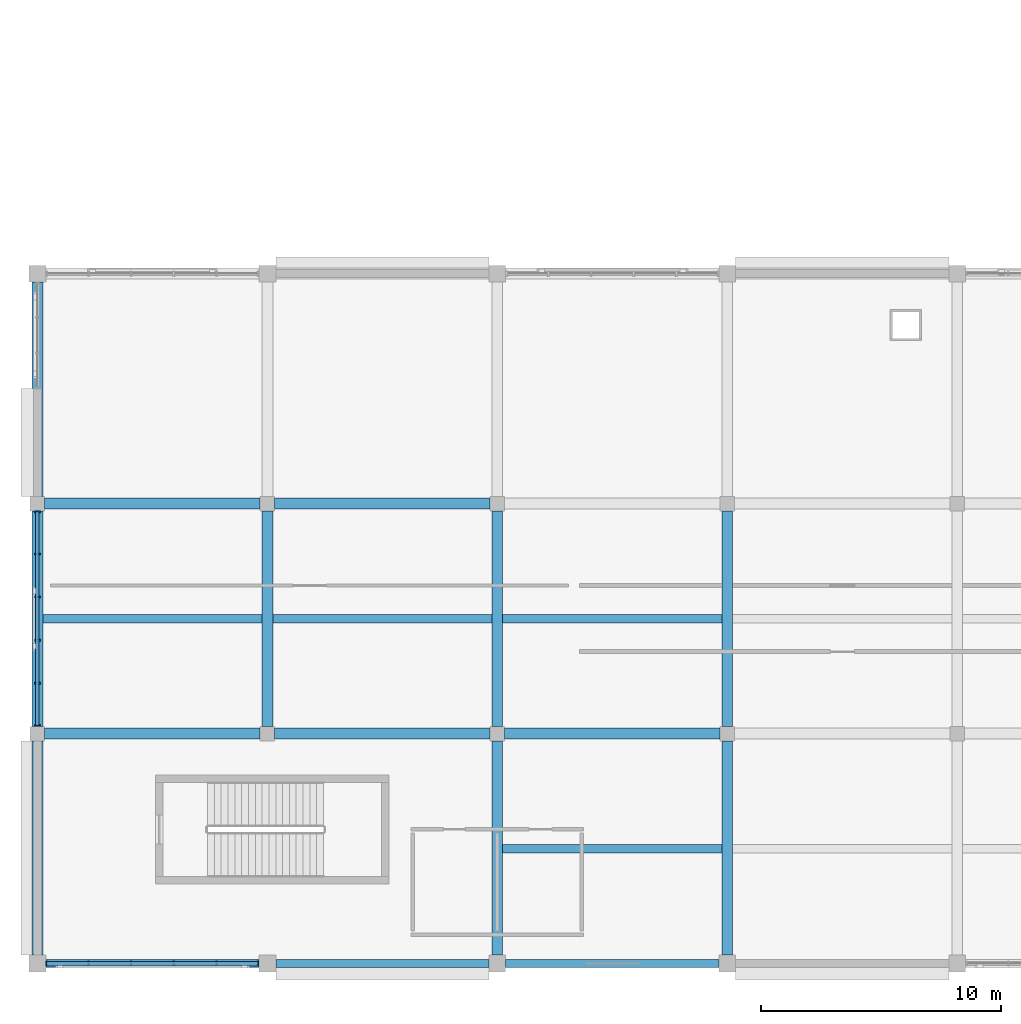
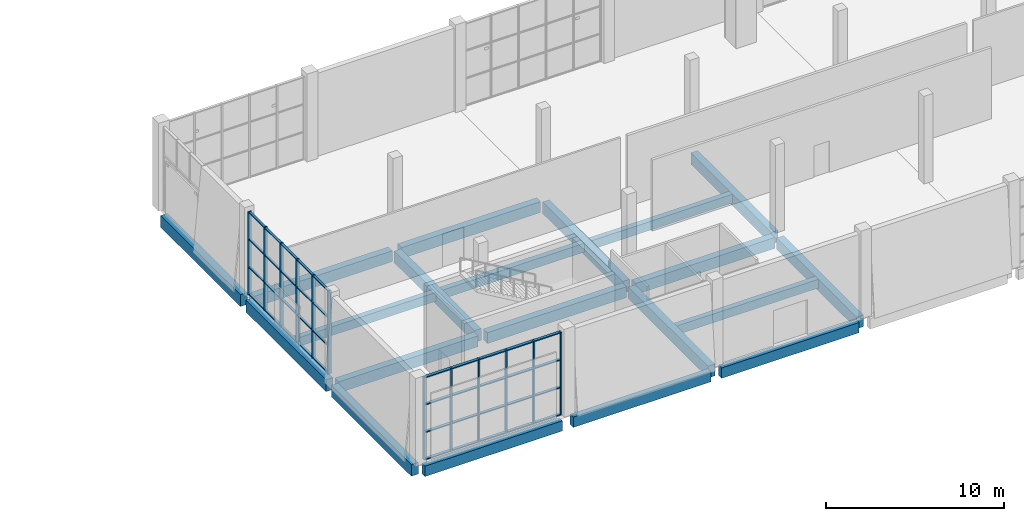
# One storey, part 3 of 84: 20 beams, 20 members, 2 elements without a shape of their own.
"""IFC4 building model written with IfcOpenShell, lengths in metres."""

from ifc_helpers import new_model, si_unit, direction, frame, origin, origin_2d, place, context, subcontext, project, spatial, rectangle, extrude, material, material_profile, profile_set, type_object, element, aggregate, save


model = new_model("IFC4")

# Units and contexts
model_context = context("Model", 3, precision=1e-05, world=origin(), true_north=direction((0.0, 1.0)))
body_context = subcontext(model_context, "Body", "Model", "MODEL_VIEW")
ifc_project = project(units=[si_unit("LENGTHUNIT", "METRE"), si_unit("AREAUNIT", "SQUARE_METRE"), si_unit("VOLUMEUNIT", "CUBIC_METRE"), si_unit("PLANEANGLEUNIT", "RADIAN"), si_unit("MASSUNIT", "GRAM", prefix="KILO")], contexts=[model_context])

# Site, building, storey
site_placement = place(None, origin())
site = spatial("IfcSite", under=ifc_project, at=site_placement, CompositionType="ELEMENT")
building_placement = place(site_placement, origin())
building = spatial("IfcBuilding", under=site, at=building_placement, Name="Shalvenor Court Art Gallery", CompositionType="ELEMENT")
storey_placement = place(building_placement, origin())
storey = spatial("IfcBuildingStorey", under=building, at=storey_placement, Name="L00", CompositionType="ELEMENT", Elevation=0.0)

# Beams
ifc_material_1 = material(Name="Concrete C40/50", Category="concrete")
ifc_material_profile_1 = material_profile(ifc_material_1, rectangle(XDim=0.449951171875, YDim=0.800048828125, at=origin_2d()), Name="RC 450x800")
ifc_profile_set_1 = profile_set([ifc_material_profile_1], Name="Concrete C40/50")
beam_type_1 = type_object("IfcBeamType", Name="B-03", PredefinedType="BEAM", material=ifc_profile_set_1)
beam_1_placement = place(storey_placement, frame((0.0, 0.35009765625, -0.739990234375), z_axis=(0.0, 1.0, 0.0), x_axis=(-1.0, 0.0, 0.0)))
element("IfcBeam", 1, at=beam_1_placement, inside=storey, type_object=beam_type_1, Name="L00 Girder BM-L00-B-03-0001", PredefinedType="BEAM", context=body_context, shape_type="SweptSolid", body=[
    extrude(rectangle(XDim=0.449951171875, YDim=0.800048828125, at=origin_2d()), origin(), (0.0, 0.0, 1.0), 8.949951171875),
])
beam_2_placement = place(storey_placement, frame((0.0, 9.89990234375, -0.739990234375), z_axis=(0.0, 1.0, 0.0), x_axis=(-1.0, 0.0, 0.0)))
element("IfcBeam", 2, at=beam_2_placement, inside=storey, type_object=beam_type_1, Name="L00 Girder BM-L00-B-03-0002", PredefinedType="BEAM", context=body_context, shape_type="SweptSolid", body=[
    extrude(rectangle(XDim=0.449951171875, YDim=0.800048828125, at=origin_2d()), origin(), (0.0, 0.0, 1.0), 9.0),
])
beam_3_placement = place(storey_placement, frame((0.0, 19.5, -0.739990234375), z_axis=(0.0, 1.0, 0.0), x_axis=(-1.0, 0.0, 0.0)))
element("IfcBeam", 3, at=beam_3_placement, inside=storey, type_object=beam_type_1, Name="L00 Girder BM-L00-B-03-0003", PredefinedType="BEAM", context=body_context, shape_type="SweptSolid", body=[
    extrude(rectangle(XDim=0.449951171875, YDim=0.800048828125, at=origin_2d()), origin(), (0.0, 0.0, 1.0), 8.949951171875),
])
beam_4_placement = place(storey_placement, frame((9.60009765625, 9.89990234375, -0.739990234375), z_axis=(0.0, 1.0, 0.0), x_axis=(-1.0, 0.0, 0.0)))
element("IfcBeam", 4, at=beam_4_placement, inside=storey, type_object=beam_type_1, Name="L00 Girder BM-L00-B-03-0010", PredefinedType="BEAM", context=body_context, shape_type="SweptSolid", body=[
    extrude(rectangle(XDim=0.449951171875, YDim=0.800048828125, at=origin_2d()), origin(), (0.0, 0.0, 1.0), 9.0),
])
beam_5_placement = place(storey_placement, frame((19.199951171875, 0.35009765625, -0.739990234375), z_axis=(0.0, 1.0, 0.0), x_axis=(-1.0, 0.0, 0.0)))
element("IfcBeam", 5, at=beam_5_placement, inside=storey, type_object=beam_type_1, Name="L00 Girder BM-L00-B-03-0018", PredefinedType="BEAM", context=body_context, shape_type="SweptSolid", body=[
    extrude(rectangle(XDim=0.449951171875, YDim=0.800048828125, at=origin_2d()), origin(), (0.0, 0.0, 1.0), 8.949951171875),
])
beam_6_placement = place(storey_placement, frame((19.199951171875, 9.89990234375, -0.739990234375), z_axis=(0.0, 1.0, 0.0), x_axis=(-1.0, 0.0, 0.0)))
element("IfcBeam", 6, at=beam_6_placement, inside=storey, type_object=beam_type_1, Name="L00 Girder BM-L00-B-03-0019", PredefinedType="BEAM", context=body_context, shape_type="SweptSolid", body=[
    extrude(rectangle(XDim=0.449951171875, YDim=0.800048828125, at=origin_2d()), origin(), (0.0, 0.0, 1.0), 9.0),
])
beam_7_placement = place(storey_placement, frame((28.800048828125, 0.35009765625, -0.739990234375), z_axis=(0.0, 1.0, 0.0), x_axis=(-1.0, 0.0, 0.0)))
element("IfcBeam", 7, at=beam_7_placement, inside=storey, type_object=beam_type_1, Name="L00 Girder BM-L00-B-03-0023", PredefinedType="BEAM", context=body_context, shape_type="SweptSolid", body=[
    extrude(rectangle(XDim=0.449951171875, YDim=0.800048828125, at=origin_2d()), origin(), (0.0, 0.0, 1.0), 8.949951171875),
])
beam_8_placement = place(storey_placement, frame((28.800048828125, 9.89990234375, -0.739990234375), z_axis=(0.0, 1.0, 0.0), x_axis=(-1.0, 0.0, 0.0)))
element("IfcBeam", 8, at=beam_8_placement, inside=storey, type_object=beam_type_1, Name="L00 Girder BM-L00-B-03-0024", PredefinedType="BEAM", context=body_context, shape_type="SweptSolid", body=[
    extrude(rectangle(XDim=0.449951171875, YDim=0.800048828125, at=origin_2d()), origin(), (0.0, 0.0, 1.0), 9.0),
])
ifc_material_2 = material(Name="Concrete C40/50", Category="concrete")
ifc_material_profile_2 = material_profile(ifc_material_2, rectangle(XDim=0.449951171875, YDim=0.75, at=origin_2d()), Name="RC 450x750")
ifc_profile_set_2 = profile_set([ifc_material_profile_2], Name="Concrete C40/50")
beam_type_2 = type_object("IfcBeamType", Name="B-04", PredefinedType="BEAM", material=ifc_profile_set_2)
for number, where, z_axis, x_axis, name in (
    (9, (0.300048828125, 9.60009765625, -0.715087890625), (1.0, 0.0, 0.0), (0.0, 1.0, 0.0), "L00 Girder BM-L00-B-04-0149"),
    (10, (9.89990234375, 9.60009765625, -0.715087890625), (1.0, 0.0, 0.0), (0.0, 1.0, 0.0), "L00 Girder BM-L00-B-04-0150"),
    (11, (19.5, 9.60009765625, -0.715087890625), (1.0, 0.0, 0.0), (0.0, 1.0, 0.0), "L00 Girder BM-L00-B-04-0151"),
    (12, (0.300048828125, 19.199951171875, -0.715087890625), (1.0, 0.0, 0.0), (0.0, 1.0, 0.0), "L00 Girder BM-L00-B-04-0157"),
    (13, (9.89990234375, 19.199951171875, -0.715087890625), (1.0, 0.0, 0.0), (0.0, 1.0, 0.0), "L00 Girder BM-L00-B-04-0158"),
):
    element("IfcBeam", number, at=place(storey_placement, frame(where, z_axis=z_axis, x_axis=x_axis)), inside=storey, type_object=beam_type_2, Name=name, PredefinedType="BEAM", context=body_context, shape_type="SweptSolid", body=[
        extrude(rectangle(XDim=0.449951171875, YDim=0.75, at=origin_2d()), origin(), (0.0, 0.0, 1.0), 9.0),
    ])

# Curtain wall, members
ifc_material_3 = material(Name="Anodised aluminium and low-iron glass curtain wall", Category="aluminium")
curtain_wall_type_1 = type_object("IfcCurtainWallType", Name="CW-5x3-89-57-241", PredefinedType="USERDEFINED", material=ifc_material_3)
curtain_wall_1_placement = place(storey_placement, origin())
curtain_wall_1 = element("IfcCurtainWall", 14, at=curtain_wall_1_placement, inside=storey, type_object=curtain_wall_type_1, Name="L00 V4 Curtain Wall CW-L00-125", ObjectType="CURTAIN WALL", PredefinedType="USERDEFINED")
ifc_material_4 = material(Name="Anodised aluminium mullion", Category="aluminium")
ifc_material_profile_3 = material_profile(ifc_material_4, rectangle(XDim=0.070068359375, YDim=0.199951171875, at=origin_2d()), Name="CWM-02")
ifc_profile_set_3 = profile_set([ifc_material_profile_3], Name="Anodised aluminium mullion")
member_type_1 = type_object("IfcMemberType", Name="CWM-02", PredefinedType="MULLION", material=ifc_profile_set_3)
member_1_placement = place(storey_placement, frame((9.215087890625, 0.0, 0.0), z_axis=(0.0, 0.0, 1.0), x_axis=(-1.0, 0.0, 0.0)))
member_1 = element("IfcMember", 15, at=member_1_placement, type_object=member_type_1, Name="CW-5x3-89-57-241 mullion 1", PredefinedType="MULLION", context=body_context, shape_type="SweptSolid", body=[
    extrude(rectangle(XDim=0.070068359375, YDim=0.199951171875, at=origin_2d()), origin(), (0.0, 0.0, 1.0), 5.679931640625),
])
member_2_placement = place(storey_placement, frame((7.469970703125, 0.0, 0.0), z_axis=(0.0, 0.0, 1.0), x_axis=(-1.0, 0.0, 0.0)))
member_2 = element("IfcMember", 16, at=member_2_placement, type_object=member_type_1, Name="CW-5x3-89-57-241 mullion 2", PredefinedType="MULLION", context=body_context, shape_type="SweptSolid", body=[
    extrude(rectangle(XDim=0.070068359375, YDim=0.199951171875, at=origin_2d()), origin(), (0.0, 0.0, 1.0), 5.679931640625),
])
member_3_placement = place(storey_placement, frame((5.68994140625, 0.0, 0.0), z_axis=(0.0, 0.0, 1.0), x_axis=(-1.0, 0.0, 0.0)))
member_3 = element("IfcMember", 17, at=member_3_placement, type_object=member_type_1, Name="CW-5x3-89-57-241 mullion 3", PredefinedType="MULLION", context=body_context, shape_type="SweptSolid", body=[
    extrude(rectangle(XDim=0.070068359375, YDim=0.199951171875, at=origin_2d()), origin(), (0.0, 0.0, 1.0), 5.679931640625),
])
member_4_placement = place(storey_placement, frame((3.909912109375, 0.0, 0.0), z_axis=(0.0, 0.0, 1.0), x_axis=(-1.0, 0.0, 0.0)))
member_4 = element("IfcMember", 18, at=member_4_placement, type_object=member_type_1, Name="CW-5x3-89-57-241 mullion 4", PredefinedType="MULLION", context=body_context, shape_type="SweptSolid", body=[
    extrude(rectangle(XDim=0.070068359375, YDim=0.199951171875, at=origin_2d()), origin(), (0.0, 0.0, 1.0), 5.679931640625),
])
member_5_placement = place(storey_placement, frame((2.1298828125, 0.0, 0.0), z_axis=(0.0, 0.0, 1.0), x_axis=(-1.0, 0.0, 0.0)))
member_5 = element("IfcMember", 19, at=member_5_placement, type_object=member_type_1, Name="CW-5x3-89-57-241 mullion 5", PredefinedType="MULLION", context=body_context, shape_type="SweptSolid", body=[
    extrude(rectangle(XDim=0.070068359375, YDim=0.199951171875, at=origin_2d()), origin(), (0.0, 0.0, 1.0), 5.679931640625),
])
member_6_placement = place(storey_placement, frame((0.385009765625, 0.0, 0.0), z_axis=(0.0, 0.0, 1.0), x_axis=(-1.0, 0.0, 0.0)))
member_6 = element("IfcMember", 20, at=member_6_placement, type_object=member_type_1, Name="CW-5x3-89-57-241 mullion 6", PredefinedType="MULLION", context=body_context, shape_type="SweptSolid", body=[
    extrude(rectangle(XDim=0.070068359375, YDim=0.199951171875, at=origin_2d()), origin(), (0.0, 0.0, 1.0), 5.679931640625),
])

ifc_material_5 = material(Name="Anodised aluminium and low-iron glass curtain wall", Category="aluminium")
curtain_wall_type_2 = type_object("IfcCurtainWallType", Name="CW-5x3-90-57-411", PredefinedType="USERDEFINED", material=ifc_material_5)
curtain_wall_2_placement = place(storey_placement, origin())
curtain_wall_2 = element("IfcCurtainWall", 21, at=curtain_wall_2_placement, inside=storey, type_object=curtain_wall_type_2, Name="L00 V4 Curtain Wall CW-L00-126", ObjectType="CURTAIN WALL", PredefinedType="USERDEFINED")
ifc_material_6 = material(Name="Anodised aluminium mullion", Category="aluminium")
ifc_material_profile_4 = material_profile(ifc_material_6, rectangle(XDim=0.074951171875, YDim=0.219970703125, at=origin_2d()), Name="CWM-04")
ifc_profile_set_4 = profile_set([ifc_material_profile_4], Name="Anodised aluminium mullion")
member_type_2 = type_object("IfcMemberType", Name="CWM-04", PredefinedType="MULLION", material=ifc_profile_set_4)
member_7_placement = place(storey_placement, frame((0.0, 9.9375, 0.0), z_axis=(0.0, 0.0, 1.0), x_axis=(0.0, 1.0, 0.0)))
member_7 = element("IfcMember", 22, at=member_7_placement, type_object=member_type_2, Name="CW-5x3-90-57-411 mullion 1", PredefinedType="MULLION", context=body_context, shape_type="SweptSolid", body=[
    extrude(rectangle(XDim=0.074951171875, YDim=0.219970703125, at=origin_2d()), origin(), (0.0, 0.0, 1.0), 5.679931640625),
])
member_8_placement = place(storey_placement, frame((0.0, 11.699951171875, 0.0), z_axis=(0.0, 0.0, 1.0), x_axis=(0.0, 1.0, 0.0)))
member_8 = element("IfcMember", 23, at=member_8_placement, type_object=member_type_2, Name="CW-5x3-90-57-411 mullion 2", PredefinedType="MULLION", context=body_context, shape_type="SweptSolid", body=[
    extrude(rectangle(XDim=0.074951171875, YDim=0.219970703125, at=origin_2d()), origin(), (0.0, 0.0, 1.0), 5.679931640625),
])
member_9_placement = place(storey_placement, frame((0.0, 13.5, 0.0), z_axis=(0.0, 0.0, 1.0), x_axis=(0.0, 1.0, 0.0)))
member_9 = element("IfcMember", 24, at=member_9_placement, type_object=member_type_2, Name="CW-5x3-90-57-411 mullion 3", PredefinedType="MULLION", context=body_context, shape_type="SweptSolid", body=[
    extrude(rectangle(XDim=0.074951171875, YDim=0.219970703125, at=origin_2d()), origin(), (0.0, 0.0, 1.0), 5.679931640625),
])
member_10_placement = place(storey_placement, frame((0.0, 15.300048828125, 0.0), z_axis=(0.0, 0.0, 1.0), x_axis=(0.0, 1.0, 0.0)))
member_10 = element("IfcMember", 25, at=member_10_placement, type_object=member_type_2, Name="CW-5x3-90-57-411 mullion 4", PredefinedType="MULLION", context=body_context, shape_type="SweptSolid", body=[
    extrude(rectangle(XDim=0.074951171875, YDim=0.219970703125, at=origin_2d()), origin(), (0.0, 0.0, 1.0), 5.679931640625),
])
member_11_placement = place(storey_placement, frame((0.0, 17.10009765625, 0.0), z_axis=(0.0, 0.0, 1.0), x_axis=(0.0, 1.0, 0.0)))
member_11 = element("IfcMember", 26, at=member_11_placement, type_object=member_type_2, Name="CW-5x3-90-57-411 mullion 5", PredefinedType="MULLION", context=body_context, shape_type="SweptSolid", body=[
    extrude(rectangle(XDim=0.074951171875, YDim=0.219970703125, at=origin_2d()), origin(), (0.0, 0.0, 1.0), 5.679931640625),
])
member_12_placement = place(storey_placement, frame((0.0, 18.862548828125, 0.0), z_axis=(0.0, 0.0, 1.0), x_axis=(0.0, 1.0, 0.0)))
member_12 = element("IfcMember", 27, at=member_12_placement, type_object=member_type_2, Name="CW-5x3-90-57-411 mullion 6", PredefinedType="MULLION", context=body_context, shape_type="SweptSolid", body=[
    extrude(rectangle(XDim=0.074951171875, YDim=0.219970703125, at=origin_2d()), origin(), (0.0, 0.0, 1.0), 5.679931640625),
])
ifc_material_7 = material(Name="Anodised aluminium transom", Category="aluminium")
ifc_material_profile_5 = material_profile(ifc_material_7, rectangle(XDim=0.14990234375, YDim=0.06005859375, at=origin_2d()), Name="CWT-01")
ifc_profile_set_5 = profile_set([ifc_material_profile_5], Name="Anodised aluminium transom")
member_type_3 = type_object("IfcMemberType", Name="CWT-01", PredefinedType="USERDEFINED", material=ifc_profile_set_5)
member_13_placement = place(storey_placement, frame((0.0, 9.9375, 0.030029296875), z_axis=(0.0, 1.0, 0.0), x_axis=(-1.0, 0.0, 0.0)))
member_13 = element("IfcMember", 28, at=member_13_placement, type_object=member_type_3, Name="CW-5x3-90-57-411 transom 1", ObjectType="TRANSOM", PredefinedType="USERDEFINED", context=body_context, shape_type="SweptSolid", body=[
    extrude(rectangle(XDim=0.14990234375, YDim=0.06005859375, at=origin_2d()), origin(), (0.0, 0.0, 1.0), 8.925048828125),
])
member_14_placement = place(storey_placement, frame((0.0, 9.9375, 1.893310546875), z_axis=(0.0, 1.0, 0.0), x_axis=(-1.0, 0.0, 0.0)))
member_14 = element("IfcMember", 29, at=member_14_placement, type_object=member_type_3, Name="CW-5x3-90-57-411 transom 2", ObjectType="TRANSOM", PredefinedType="USERDEFINED", context=body_context, shape_type="SweptSolid", body=[
    extrude(rectangle(XDim=0.14990234375, YDim=0.06005859375, at=origin_2d()), origin(), (0.0, 0.0, 1.0), 8.925048828125),
])
member_15_placement = place(storey_placement, frame((0.0, 9.9375, 3.78662109375), z_axis=(0.0, 1.0, 0.0), x_axis=(-1.0, 0.0, 0.0)))
member_15 = element("IfcMember", 30, at=member_15_placement, type_object=member_type_3, Name="CW-5x3-90-57-411 transom 3", ObjectType="TRANSOM", PredefinedType="USERDEFINED", context=body_context, shape_type="SweptSolid", body=[
    extrude(rectangle(XDim=0.14990234375, YDim=0.06005859375, at=origin_2d()), origin(), (0.0, 0.0, 1.0), 8.925048828125),
])
member_16_placement = place(storey_placement, frame((0.0, 9.9375, 5.64990234375), z_axis=(0.0, 1.0, 0.0), x_axis=(-1.0, 0.0, 0.0)))
member_16 = element("IfcMember", 31, at=member_16_placement, type_object=member_type_3, Name="CW-5x3-90-57-411 transom 4", ObjectType="TRANSOM", PredefinedType="USERDEFINED", context=body_context, shape_type="SweptSolid", body=[
    extrude(rectangle(XDim=0.14990234375, YDim=0.06005859375, at=origin_2d()), origin(), (0.0, 0.0, 1.0), 8.925048828125),
])
aggregate(curtain_wall_2, [member_7, member_8, member_9, member_10, member_11, member_12, member_13, member_14, member_15, member_16])

# Member
ifc_material_8 = material(Name="Anodised aluminium transom", Category="aluminium")
ifc_material_profile_6 = material_profile(ifc_material_8, rectangle(XDim=0.18994140625, YDim=0.070068359375, at=origin_2d()), Name="CWT-04")
ifc_profile_set_6 = profile_set([ifc_material_profile_6], Name="Anodised aluminium transom")
member_type_4 = type_object("IfcMemberType", Name="CWT-04", PredefinedType="USERDEFINED", material=ifc_profile_set_6)
member_17_placement = place(storey_placement, frame((9.215087890625, 0.0, 0.034912109375), z_axis=(-1.0, 0.0, 0.0), x_axis=(0.0, -1.0, 0.0)))
member_17 = element("IfcMember", 32, at=member_17_placement, type_object=member_type_4, Name="CW-5x3-89-57-241 transom 1", ObjectType="TRANSOM", PredefinedType="USERDEFINED", context=body_context, shape_type="SweptSolid", body=[
    extrude(rectangle(XDim=0.18994140625, YDim=0.070068359375, at=origin_2d()), origin(), (0.0, 0.0, 1.0), 8.830078125),
])

member_18_placement = place(storey_placement, frame((9.215087890625, 0.0, 1.893310546875), z_axis=(-1.0, 0.0, 0.0), x_axis=(0.0, -1.0, 0.0)))
member_18 = element("IfcMember", 33, at=member_18_placement, type_object=member_type_4, Name="CW-5x3-89-57-241 transom 2", ObjectType="TRANSOM", PredefinedType="USERDEFINED", context=body_context, shape_type="SweptSolid", body=[
    extrude(rectangle(XDim=0.18994140625, YDim=0.070068359375, at=origin_2d()), origin(), (0.0, 0.0, 1.0), 8.830078125),
])

member_19_placement = place(storey_placement, frame((9.215087890625, 0.0, 3.78662109375), z_axis=(-1.0, 0.0, 0.0), x_axis=(0.0, -1.0, 0.0)))
member_19 = element("IfcMember", 34, at=member_19_placement, type_object=member_type_4, Name="CW-5x3-89-57-241 transom 3", ObjectType="TRANSOM", PredefinedType="USERDEFINED", context=body_context, shape_type="SweptSolid", body=[
    extrude(rectangle(XDim=0.18994140625, YDim=0.070068359375, at=origin_2d()), origin(), (0.0, 0.0, 1.0), 8.830078125),
])

member_20_placement = place(storey_placement, frame((9.215087890625, 0.0, 5.64501953125), z_axis=(-1.0, 0.0, 0.0), x_axis=(0.0, -1.0, 0.0)))
member_20 = element("IfcMember", 35, at=member_20_placement, type_object=member_type_4, Name="CW-5x3-89-57-241 transom 4", ObjectType="TRANSOM", PredefinedType="USERDEFINED", context=body_context, shape_type="SweptSolid", body=[
    extrude(rectangle(XDim=0.18994140625, YDim=0.070068359375, at=origin_2d()), origin(), (0.0, 0.0, 1.0), 8.830078125),
])

aggregate(curtain_wall_1, [member_1, member_2, member_3, member_4, member_5, member_6, member_17, member_18, member_19, member_20])

# Beams
ifc_material_9 = material(Name="Concrete C40/50", Category="concrete")
ifc_material_profile_7 = material_profile(ifc_material_9, rectangle(XDim=0.35009765625, YDim=0.60009765625, at=origin_2d()), Name="RC 350x600")
ifc_profile_set_7 = profile_set([ifc_material_profile_7], Name="Concrete C40/50")
beam_type_3 = type_object("IfcBeamType", Name="J-01", PredefinedType="JOIST", material=ifc_profile_set_7)
beam_9_placement = place(storey_placement, frame((0.22509765625, 14.39990234375, -0.639892578125), z_axis=(1.0, 0.0, 0.0), x_axis=(0.0, 1.0, 0.0)))
element("IfcBeam", 36, at=beam_9_placement, inside=storey, type_object=beam_type_3, Name="L00 Secondary Beam JST-L00-J-01-0280", PredefinedType="JOIST", context=body_context, shape_type="SweptSolid", body=[
    extrude(rectangle(XDim=0.35009765625, YDim=0.60009765625, at=origin_2d()), origin(), (0.0, 0.0, 1.0), 9.14990234375),
])
beam_10_placement = place(storey_placement, frame((9.824951171875, 14.39990234375, -0.639892578125), z_axis=(1.0, 0.0, 0.0), x_axis=(0.0, 1.0, 0.0)))
element("IfcBeam", 37, at=beam_10_placement, inside=storey, type_object=beam_type_3, Name="L00 Secondary Beam JST-L00-J-01-0287", PredefinedType="JOIST", context=body_context, shape_type="SweptSolid", body=[
    extrude(rectangle(XDim=0.35009765625, YDim=0.60009765625, at=origin_2d()), origin(), (0.0, 0.0, 1.0), 9.150146484375),
])
for number, where, z_axis, x_axis, name in (
    (38, (19.425048828125, 4.800048828125, -0.639892578125), (1.0, 0.0, 0.0), (0.0, 1.0, 0.0), "L00 Secondary Beam JST-L00-J-01-0290"),
    (39, (19.425048828125, 14.39990234375, -0.639892578125), (1.0, 0.0, 0.0), (0.0, 1.0, 0.0), "L00 Secondary Beam JST-L00-J-01-0291"),
):
    element("IfcBeam", number, at=place(storey_placement, frame(where, z_axis=z_axis, x_axis=x_axis)), inside=storey, type_object=beam_type_3, Name=name, PredefinedType="JOIST", context=body_context, shape_type="SweptSolid", body=[
        extrude(rectangle(XDim=0.35009765625, YDim=0.60009765625, at=origin_2d()), origin(), (0.0, 0.0, 1.0), 9.14990234375),
    ])
ifc_material_10 = material(Name="Concrete C40/50", Category="concrete")
ifc_material_profile_8 = material_profile(ifc_material_10, rectangle(XDim=0.35009765625, YDim=0.699951171875, at=origin_2d()), Name="RC 350x700")
ifc_profile_set_8 = profile_set([ifc_material_profile_8], Name="Concrete C40/50")
beam_type_4 = type_object("IfcBeamType", Name="SP-01", PredefinedType="SPANDREL", material=ifc_profile_set_8)
beam_11_placement = place(storey_placement, frame((0.35009765625, 0.0, -0.68994140625), z_axis=(1.0, 0.0, 0.0), x_axis=(0.0, 1.0, 0.0)))
element("IfcBeam", 40, at=beam_11_placement, inside=storey, type_object=beam_type_4, Name="L00 Spandrel Girder BM-L00-SP-01-0139", PredefinedType="SPANDREL", context=body_context, shape_type="SweptSolid", body=[
    extrude(rectangle(XDim=0.35009765625, YDim=0.699951171875, at=origin_2d()), origin(), (0.0, 0.0, 1.0), 8.89990234375),
])
beam_12_placement = place(storey_placement, frame((9.949951171875, 0.0, -0.68994140625), z_axis=(1.0, 0.0, 0.0), x_axis=(0.0, 1.0, 0.0)))
element("IfcBeam", 41, at=beam_12_placement, inside=storey, type_object=beam_type_4, Name="L00 Spandrel Girder BM-L00-SP-01-0140", PredefinedType="SPANDREL", context=body_context, shape_type="SweptSolid", body=[
    extrude(rectangle(XDim=0.35009765625, YDim=0.699951171875, at=origin_2d()), origin(), (0.0, 0.0, 1.0), 8.900146484375),
])
beam_13_placement = place(storey_placement, frame((19.550048828125, 0.0, -0.68994140625), z_axis=(1.0, 0.0, 0.0), x_axis=(0.0, 1.0, 0.0)))
element("IfcBeam", 42, at=beam_13_placement, inside=storey, type_object=beam_type_4, Name="L00 Spandrel Girder BM-L00-SP-01-0141", PredefinedType="SPANDREL", context=body_context, shape_type="SweptSolid", body=[
    extrude(rectangle(XDim=0.35009765625, YDim=0.699951171875, at=origin_2d()), origin(), (0.0, 0.0, 1.0), 8.89990234375),
])

save(model, "model.ifc")
